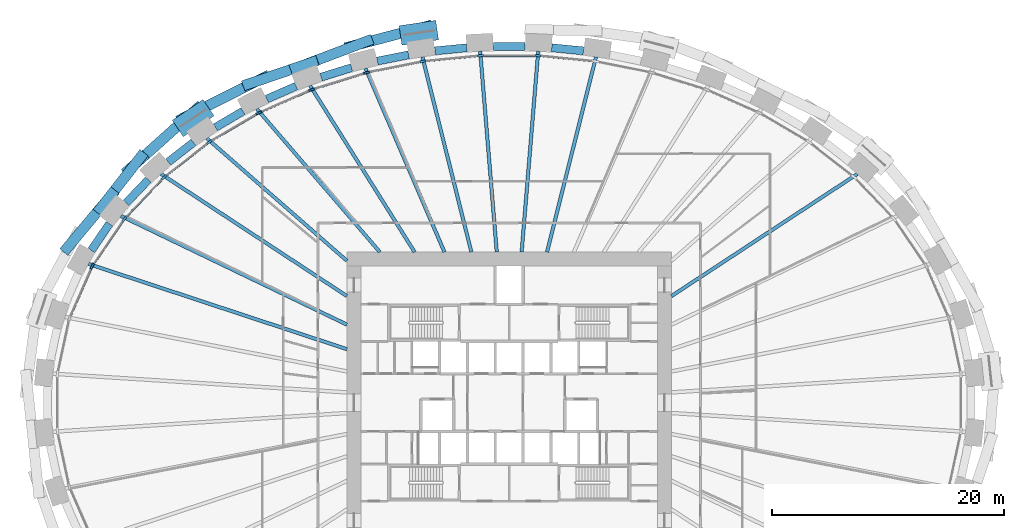
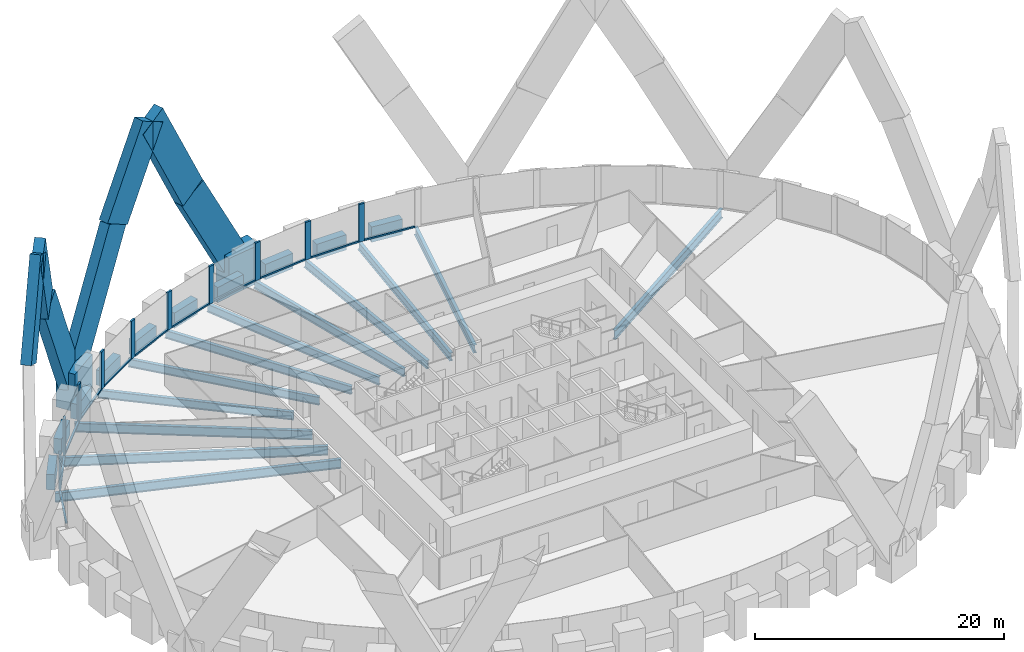
# One storey, part 3 of 13: 30 members, 22 beams, 1 element without a shape of its own.
"""IFC4 building model written with IfcOpenShell, lengths in metres."""

import ifcopenshell
import ifcopenshell.guid

model = None  # the IFC model being written
_history = None  # IfcOwnerHistory: only IFC2X3 demands one
_inside = {}  # id of a spatial element -> (the spatial element, [elements in it])
_under = {}  # id of a project, library or spatial element -> (it, [spatial elements below it])
_declared = {}  # id of a project -> (the project, [libraries it declares])
_typed = {}  # id of a type object -> (the type object, [elements of that type])
_made_of = {}  # id of a material, layer set ... -> (it, [elements and type objects made of it])


def new_model(schema):
    """Start an empty IFC model of exactly this schema.

    Asked for "IFC4X3", IfcOpenShell would pick the latest addendum, in which some entities
    have other attributes; the version numbers below select the first issue.
    IFC2X3 requires an IfcOwnerHistory on every rooted entity: one is made here for all.
    """
    global model, _history
    if schema == "IFC4X3":
        model = ifcopenshell.file(schema_version=(4, 3, 0, 0))
    else:
        model = ifcopenshell.file(schema=schema)
    _inside.clear()
    _under.clear()
    _declared.clear()
    _typed.clear()
    _made_of.clear()
    _history = None
    if model.schema == "IFC2X3":
        org = make("IfcOrganization", Name="unknown")
        user = make(
            "IfcPersonAndOrganization",
            ThePerson=make("IfcPerson", FamilyName="unknown"),
            TheOrganization=org,
        )
        app = make(
            "IfcApplication",
            ApplicationDeveloper=org,
            Version="unknown",
            ApplicationFullName="unknown",
            ApplicationIdentifier="unknown",
        )
        _history = make(
            "IfcOwnerHistory",
            OwningUser=user,
            OwningApplication=app,
            ChangeAction="ADDED",
            CreationDate=0,
        )
    return model


def make(cls, **values):
    """One entity of the class cls with the attributes given. An attribute that is None is left unset."""
    return model.create_entity(
        cls, **{name: value for name, value in values.items() if value is not None}
    )


def rooted(cls, **values):
    """An entity with a GlobalId (a new one), such as an element, a storey or a relation."""
    return make(cls, GlobalId=ifcopenshell.guid.new(), OwnerHistory=_history, **values)


def si_unit(unit_type, name, prefix=None):
    """IfcSIUnit, for example si_unit("LENGTHUNIT", "METRE", prefix="MILLI")."""
    return make("IfcSIUnit", UnitType=unit_type, Prefix=prefix, Name=name)


def assignment(units):
    """IfcUnitAssignment: the units of a project."""
    return None if units is None else make("IfcUnitAssignment", Units=units)


def point(xyz):
    """IfcCartesianPoint."""
    return None if xyz is None else make("IfcCartesianPoint", Coordinates=xyz)


def direction(xyz):
    """IfcDirection."""
    return None if xyz is None else make("IfcDirection", DirectionRatios=xyz)


def frame(location, z_axis=None, x_axis=None):
    """IfcAxis2Placement3D, a coordinate frame: its origin and axes. An axis left out is left unset."""
    return make(
        "IfcAxis2Placement3D",
        Location=point(location),
        Axis=direction(z_axis),
        RefDirection=direction(x_axis),
    )


def frame_2d(location, x_axis=None):
    """IfcAxis2Placement2D, a coordinate frame in the plane: its origin and x axis."""
    return make(
        "IfcAxis2Placement2D", Location=point(location), RefDirection=direction(x_axis)
    )


def origin():
    """The frame at (0, 0, 0) with its axes left unset."""
    return frame((0.0, 0.0, 0.0))


def origin_2d():
    """The frame at (0, 0) in the plane with its x axis left unset."""
    return frame_2d((0.0, 0.0))


def place(relative_to, where):
    """IfcLocalPlacement: puts the frame where relative to a parent placement (None: the world)."""
    return make(
        "IfcLocalPlacement", PlacementRelTo=relative_to, RelativePlacement=where
    )


def context(
    kind, dimensions, precision=None, world=None, true_north=None, identifier=None
):
    """IfcGeometricRepresentationContext, for example the 3D "Model" context."""
    return make(
        "IfcGeometricRepresentationContext",
        ContextIdentifier=identifier,
        ContextType=kind,
        CoordinateSpaceDimension=dimensions,
        Precision=precision,
        WorldCoordinateSystem=world,
        TrueNorth=true_north,
    )


def subcontext(parent, identifier, kind, view, scale=None):
    """IfcGeometricRepresentationSubContext, for example "Body" below "Model"."""
    return make(
        "IfcGeometricRepresentationSubContext",
        ContextIdentifier=identifier,
        ContextType=kind,
        ParentContext=parent,
        TargetScale=scale,
        TargetView=view,
    )


def project(units=None, contexts=None):
    """IfcProject with its units and contexts."""
    return rooted(
        "IfcProject",
        Name="project",
        RepresentationContexts=contexts,
        UnitsInContext=assignment(units),
    )


def spatial(cls, under=None, at=None, **own):
    """A site, building, storey or space (cls), placed at a placement, below another one or the project."""
    s = rooted(cls, ObjectPlacement=at, **own)
    if under is not None:
        _under.setdefault(under.id(), (under, []))[1].append(s)
    return s


def profile(cls, at=None, kind="AREA", **sizes):
    """A parametric profile (cls). Its sizes go by their IFC names, for example OverallWidth=200.0."""
    return make(cls, ProfileType=kind, Position=at, **sizes)


def rectangle(**sizes):
    """IfcRectangleProfileDef."""
    return profile("IfcRectangleProfileDef", **sizes)


def i_section(**sizes):
    """IfcIShapeProfileDef."""
    return profile("IfcIShapeProfileDef", **sizes)


def extrude(swept, where, along, depth):
    """IfcExtrudedAreaSolid: the profile swept, set in the frame where, extruded along a direction by depth."""
    return make(
        "IfcExtrudedAreaSolid",
        SweptArea=swept,
        Position=where,
        ExtrudedDirection=direction(along),
        Depth=depth,
    )


def shape(context_of_items, identifier, shape_type, items):
    """IfcShapeRepresentation: the items that make up one representation, for example the "Body"."""
    return make(
        "IfcShapeRepresentation",
        ContextOfItems=context_of_items,
        RepresentationIdentifier=identifier,
        RepresentationType=shape_type,
        Items=items,
    )


def source(mapping_origin, context_of_items, identifier, shape_type, items):
    """IfcRepresentationMap: a shape defined once, which mapped items show again and again."""
    return make(
        "IfcRepresentationMap",
        MappingOrigin=mapping_origin,
        MappedRepresentation=shape(context_of_items, identifier, shape_type, items),
    )


def transform(
    local_origin,
    x_axis=None,
    y_axis=None,
    z_axis=None,
    scale=None,
    scale2=None,
    scale3=None,
    uniform=True,
):
    """IfcCartesianTransformationOperator3D, or its non-uniform kind. x_axis, y_axis, z_axis: its Axis1, 2, 3."""
    if uniform:
        return make(
            "IfcCartesianTransformationOperator3D",
            Axis1=direction(x_axis),
            Axis2=direction(y_axis),
            LocalOrigin=point(local_origin),
            Scale=scale,
            Axis3=direction(z_axis),
        )
    return make(
        "IfcCartesianTransformationOperator3DnonUniform",
        Axis1=direction(x_axis),
        Axis2=direction(y_axis),
        LocalOrigin=point(local_origin),
        Scale=scale,
        Axis3=direction(z_axis),
        Scale2=scale2,
        Scale3=scale3,
    )


def mapped(mapping_source, mapping_target):
    """IfcMappedItem: shows the shape of a source again, moved by a transform."""
    return make(
        "IfcMappedItem", MappingSource=mapping_source, MappingTarget=mapping_target
    )


def material(Name=None, Category=None):
    """IfcMaterial."""
    return make("IfcMaterial", Name=Name, Category=Category)


def material_profile(
    of_material, cross_section, Name=None, Category=None, Priority=None
):
    """IfcMaterialProfile: a cross section and its material."""
    return make(
        "IfcMaterialProfile",
        Name=Name,
        Material=of_material,
        Profile=cross_section,
        Priority=Priority,
        Category=Category,
    )


def profile_set(profiles, Name=None, composite=None):
    """IfcMaterialProfileSet."""
    return make(
        "IfcMaterialProfileSet",
        Name=Name,
        MaterialProfiles=profiles,
        CompositeProfile=composite,
    )


def made_of(thing, what):
    """Note that an element or type object is made of a material, layer set ...; save() writes the relation."""
    if what is not None:
        _made_of.setdefault(what.id(), (what, []))[1].append(thing)
    return thing


def type_object(cls, material=None, **own):
    """A type object (cls), such as IfcWallType, which elements share."""
    return made_of(rooted(cls, **own), material)


def element(
    cls,
    number,
    at=None,
    inside=None,
    cuts=None,
    type_object=None,
    material=None,
    context=None,
    identifier="Body",
    shape_type=None,
    held_by="IfcProductDefinitionShape",
    body=None,
    shapes=None,
    **own,
):
    """One element of the class cls, such as IfcWall. Its Tag is "e" and its number.

    at: its placement. inside: the storey or other place that contains it. cuts: it is an
    opening in that element (IfcRelVoidsElement). A single representation is given by context,
    identifier, shape_type and body (its items); several are given by shapes. held_by: the class
    of the entity that holds the representations. save() writes the other relations.
    """
    e = rooted(cls, Tag="e%d" % number, ObjectPlacement=at, **own)
    if body is not None:
        shapes = [shape(context, identifier, shape_type, body)]
    if shapes is not None:
        e.Representation = make(held_by, Representations=shapes)
    if inside is not None:
        _inside.setdefault(inside.id(), (inside, []))[1].append(e)
    if cuts is not None:
        rooted(
            "IfcRelVoidsElement", RelatingBuildingElement=cuts, RelatedOpeningElement=e
        )
    if type_object is not None:
        _typed.setdefault(type_object.id(), (type_object, []))[1].append(e)
    return made_of(e, material)


def aggregate(whole, parts):
    """IfcRelAggregates: a whole, such as a stair, and the parts it consists of."""
    return rooted("IfcRelAggregates", RelatingObject=whole, RelatedObjects=parts)


def save(model, path):
    """Write the relations noted so far, then the file.

    IfcRelAggregates (storeys below a building ...), IfcRelContainedInSpatialStructure (elements
    in a storey), IfcRelDefinesByType, IfcRelAssociatesMaterial and IfcRelDeclares: one each for
    every whole, place, type object, material and project.
    """
    for whole, parts in _under.values():
        aggregate(whole, parts)
    for where, things in _inside.values():
        rooted(
            "IfcRelContainedInSpatialStructure",
            RelatedElements=things,
            RelatingStructure=where,
        )
    for kind, things in _typed.values():
        rooted("IfcRelDefinesByType", RelatedObjects=things, RelatingType=kind)
    for what, things in _made_of.values():
        rooted("IfcRelAssociatesMaterial", RelatedObjects=things, RelatingMaterial=what)
    for by, libraries in _declared.values():
        rooted("IfcRelDeclares", RelatingContext=by, RelatedDefinitions=libraries)
    model.write(path)


model = new_model("IFC4")

# Units and contexts
model_context = context("Model", 3, precision=1e-05, world=origin(), true_north=direction((0.0, 1.0)))
body_context = subcontext(model_context, "Body", "Model", "MODEL_VIEW")
ifc_project = project(units=[si_unit("LENGTHUNIT", "METRE"), si_unit("AREAUNIT", "SQUARE_METRE"), si_unit("VOLUMEUNIT", "CUBIC_METRE"), si_unit("PLANEANGLEUNIT", "RADIAN"), si_unit("MASSUNIT", "GRAM", prefix="KILO")], contexts=[model_context])

# Site, building, storey
site_placement = place(None, origin())
site = spatial("IfcSite", under=ifc_project, at=site_placement, CompositionType="ELEMENT")
building_placement = place(site_placement, origin())
building = spatial("IfcBuilding", under=site, at=building_placement, Name="Embergate Tower", CompositionType="ELEMENT")
storey_placement = place(building_placement, frame((0.0, 0.0, 105.5)))
storey = spatial("IfcBuildingStorey", under=building, at=storey_placement, Name="L22", CompositionType="ELEMENT", Elevation=105.5)

# Beams
ifc_material_1 = material(Name="Concrete C70", Category="concrete")
ifc_material_profile_1 = material_profile(ifc_material_1, rectangle(XDim=0.699951171875, YDim=1.5, at=origin_2d()), Name="RC 700x1500")
ifc_profile_set_1 = profile_set([ifc_material_profile_1], Name="Concrete C70")
beam_type_1 = type_object("IfcBeamType", Name="Spandrel beam RC 700x1500 C70", PredefinedType="BEAM", material=ifc_profile_set_1)
shared_shape_1 = source(origin(), body_context, "Body", "SweptSolid", [
    extrude(rectangle(XDim=0.699951171875, YDim=1.5, at=origin_2d()), origin(), (0.0, 0.0, 1.0), 2.775634765625),
])
beam_1_placement = place(storey_placement, frame((-34.5009765625, 15.447021484375, 0.0), z_axis=(-0.562430313872, -0.826844690397, 0.0), x_axis=(0.826844690397, -0.562430313872, 0.0)))
element("IfcBeam", 1, at=beam_1_placement, inside=storey, type_object=beam_type_1, Name="SPN-L22-18", PredefinedType="BEAM", context=body_context, shape_type="MappedRepresentation", body=[
    mapped(shared_shape_1, transform((0.0, 0.0, 0.0))),
])
shared_shape_2 = source(origin(), body_context, "Body", "SweptSolid", [
    extrude(rectangle(XDim=0.699951171875, YDim=1.5, at=origin_2d()), origin(), (0.0, 0.0, 1.0), 2.770263671875),
])
beam_2_placement = place(storey_placement, frame((-31.14404296875, 19.241943359375, 0.0), z_axis=(-0.690119345663, -0.723695577395, 0.0), x_axis=(0.723695577395, -0.690119345663, 0.0)))
element("IfcBeam", 2, at=beam_2_placement, inside=storey, type_object=beam_type_1, Name="SPN-L22-17", PredefinedType="BEAM", context=body_context, shape_type="MappedRepresentation", body=[
    mapped(shared_shape_2, transform((0.0, 0.0, 0.0))),
])
shared_shape_3 = source(origin(), body_context, "Body", "SweptSolid", [
    extrude(rectangle(XDim=0.699951171875, YDim=1.5, at=origin_2d()), origin(), (0.0, 0.0, 1.0), 2.762939453125),
])
beam_3_placement = place(storey_placement, frame((-27.248046875, 22.470947265625, 0.0), z_axis=(-0.788304284462, -0.615285588242, 0.0), x_axis=(0.615285588242, -0.788304284462, 0.0)))
element("IfcBeam", 3, at=beam_3_placement, inside=storey, type_object=beam_type_1, Name="SPN-L22-16", PredefinedType="BEAM", context=body_context, shape_type="MappedRepresentation", body=[
    mapped(shared_shape_3, transform((0.0, 0.0, 0.0))),
])
shared_shape_4 = source(origin(), body_context, "Body", "SweptSolid", [
    extrude(rectangle(XDim=0.699951171875, YDim=1.5, at=origin_2d()), origin(), (0.0, 0.0, 1.0), 2.758544921875),
])
beam_4_placement = place(storey_placement, frame((-22.968017578125, 25.162109375, 0.0), z_axis=(-0.862027482261, -0.506861539108, 0.0), x_axis=(0.506861539108, -0.862027482261, 0.0)))
element("IfcBeam", 4, at=beam_4_placement, inside=storey, type_object=beam_type_1, Name="SPN-L22-15", PredefinedType="BEAM", context=body_context, shape_type="MappedRepresentation", body=[
    mapped(shared_shape_4, transform((0.0, 0.0, 0.0))),
])
shared_shape_5 = source(origin(), body_context, "Body", "SweptSolid", [
    extrude(rectangle(XDim=0.699951171875, YDim=1.5, at=origin_2d()), origin(), (0.0, 0.0, 1.0), 2.75537109375),
])
beam_5_placement = place(storey_placement, frame((-18.39404296875, 27.31103515625, 0.0), z_axis=(-0.916372764163, -0.400326063478, 0.0), x_axis=(0.400326063478, -0.916372764163, 0.0)))
element("IfcBeam", 5, at=beam_5_placement, inside=storey, type_object=beam_type_1, Name="SPN-L22-14", PredefinedType="BEAM", context=body_context, shape_type="MappedRepresentation", body=[
    mapped(shared_shape_5, transform((0.0, 0.0, 0.0))),
])
shared_shape_6 = source(origin(), body_context, "Body", "SweptSolid", [
    extrude(rectangle(XDim=0.699951171875, YDim=1.5, at=origin_2d()), origin(), (0.0, 0.0, 1.0), 2.750732421875),
])
beam_6_placement = place(storey_placement, frame((-13.60595703125, 28.9150390625, 0.0), z_axis=(-0.954637769475, -0.297769590609, 0.0), x_axis=(0.297769590609, -0.954637769475, 0.0)))
element("IfcBeam", 6, at=beam_6_placement, inside=storey, type_object=beam_type_1, Name="SPN-L22-13", PredefinedType="BEAM", context=body_context, shape_type="MappedRepresentation", body=[
    mapped(shared_shape_6, transform((0.0, 0.0, 0.0))),
])
shared_shape_7 = source(origin(), body_context, "Body", "SweptSolid", [
    extrude(rectangle(XDim=0.699951171875, YDim=1.5, at=origin_2d()), origin(), (0.0, 0.0, 1.0), 2.749755859375),
])
beam_7_placement = place(storey_placement, frame((-8.680908203125, 30.02392578125, 0.0), z_axis=(-0.98045412413, -0.196747834743, 0.0), x_axis=(0.196747834743, -0.98045412413, 0.0)))
element("IfcBeam", 7, at=beam_7_placement, inside=storey, type_object=beam_type_1, Name="SPN-L22-12", PredefinedType="BEAM", context=body_context, shape_type="MappedRepresentation", body=[
    mapped(shared_shape_7, transform((0.0, 0.0, 0.0))),
])
shared_shape_8 = source(origin(), body_context, "Body", "SweptSolid", [
    extrude(rectangle(XDim=0.699951171875, YDim=1.5, at=origin_2d()), origin(), (0.0, 0.0, 1.0), 2.748291015625),
])
for number, where, z_axis, x_axis, name in (
    (8, (6.406005859375, 30.363037109375, 0.0), (-0.995196843386, 0.097894039223, 0.0), (-0.097894039223, -0.995196843386, 0.0), "SPN-L22-09"),
    (9, (-3.6708984375, 30.632080078125, 0.0), (-0.995196843386, -0.097894039223, 0.0), (0.097894039223, -0.995196843386, 0.0), "SPN-L22-11"),
):
    element("IfcBeam", number, at=place(storey_placement, frame(where, z_axis=z_axis, x_axis=x_axis)), inside=storey, type_object=beam_type_1, Name=name, PredefinedType="BEAM", context=body_context, shape_type="MappedRepresentation", body=[
        mapped(shared_shape_8, transform((0.0, 0.0, 0.0))),
    ])
shared_shape_9 = source(origin(), body_context, "Body", "SweptSolid", [
    extrude(rectangle(XDim=0.699951171875, YDim=1.5, at=origin_2d()), origin(), (0.0, 0.0, 1.0), 2.748046875),
])
beam_8_placement = place(storey_placement, frame((1.3740234375, 30.7451171875, 0.0), z_axis=(-1.0, 0.0, 0.0), x_axis=(0.0, -1.0, 0.0)))
element("IfcBeam", 10, at=beam_8_placement, inside=storey, type_object=beam_type_1, Name="SPN-L22-10", PredefinedType="BEAM", context=body_context, shape_type="MappedRepresentation", body=[
    mapped(shared_shape_9, transform((0.0, 0.0, 0.0))),
])
ifc_material_2 = material(Name="Steel Q355B", Category="steel")
ifc_material_profile_2 = material_profile(ifc_material_2, i_section(OverallWidth=0.300048828125, OverallDepth=0.89990234375, WebThickness=0.01611328125, FlangeThickness=0.028076171875, FilletRadius=0.028076171875, at=origin_2d()), Name="HN 900x300x16x28")
ifc_profile_set_2 = profile_set([ifc_material_profile_2], Name="Steel Q355 grade B")
beam_type_2 = type_object("IfcBeamType", Name="Radial girder HN 900x300x16x28", PredefinedType="BEAM", material=ifc_profile_set_2)
shared_shape_10 = source(origin(), body_context, "Body", "SweptSolid", [
    extrude(i_section(OverallWidth=0.300048828125, OverallDepth=0.89990234375, WebThickness=0.01611328125, FlangeThickness=0.028076171875, FilletRadius=0.028076171875, at=origin_2d()), origin(), (0.0, 0.0, 1.0), 23.499267578125),
])
beam_9_placement = place(storey_placement, frame((-36.31689453125, 11.97705078125, -0.64990234375), z_axis=(0.949685213061, -0.31320599626, 0.0), x_axis=(0.31320599626, 0.949685213061, 0.0)))
element("IfcBeam", 11, at=beam_9_placement, inside=storey, type_object=beam_type_2, Name="GIR-L22-19", PredefinedType="BEAM", context=body_context, shape_type="MappedRepresentation", body=[
    mapped(shared_shape_10, transform((0.0, 0.0, 0.0))),
])
shared_shape_11 = source(origin(), body_context, "Body", "SweptSolid", [
    extrude(i_section(OverallWidth=0.300048828125, OverallDepth=0.89990234375, WebThickness=0.01611328125, FlangeThickness=0.028076171875, FilletRadius=0.028076171875, at=origin_2d()), origin(), (0.0, 0.0, 1.0), 21.641357421875),
])
beam_10_placement = place(storey_placement, frame((-33.501953125, 16.116943359375, -0.64990234375), z_axis=(0.901145989674, -0.433515749765, 0.0), x_axis=(0.433515749765, 0.901145989674, 0.0)))
element("IfcBeam", 12, at=beam_10_placement, inside=storey, type_object=beam_type_2, Name="GIR-L22-18", PredefinedType="BEAM", context=body_context, shape_type="MappedRepresentation", body=[
    mapped(shared_shape_11, transform((0.0, 0.0, 0.0))),
])
shared_shape_12 = source(origin(), body_context, "Body", "SweptSolid", [
    extrude(i_section(OverallWidth=0.300048828125, OverallDepth=0.89990234375, WebThickness=0.01611328125, FlangeThickness=0.028076171875, FilletRadius=0.028076171875, at=origin_2d()), origin(), (0.0, 0.0, 1.0), 19.19970703125),
])
for number, where, z_axis, x_axis, name in (
    (13, (30.0458984375, 19.741943359375, -0.64990234375), (-0.835740827345, -0.549124092996, 0.0), (0.549124092996, -0.835740827345, 0.0), "GIR-L22-04"),
    (14, (-30.0458984375, 19.741943359375, -0.64990234375), (0.835740827345, -0.549124092996, 0.0), (0.549124092996, 0.835740827345, 0.0), "GIR-L22-17"),
):
    element("IfcBeam", number, at=place(storey_placement, frame(where, z_axis=z_axis, x_axis=x_axis)), inside=storey, type_object=beam_type_2, Name=name, PredefinedType="BEAM", context=body_context, shape_type="MappedRepresentation", body=[
        mapped(shared_shape_12, transform((0.0, 0.0, 0.0))),
    ])
ifc_material_profile_3 = material_profile(ifc_material_2, i_section(OverallWidth=0.300048828125, OverallDepth=0.800048828125, WebThickness=0.013916015625, FlangeThickness=0.02587890625, FilletRadius=0.028076171875, at=origin_2d()), Name="HN 800x300x14x26")
ifc_profile_set_3 = profile_set([ifc_material_profile_3], Name="Steel Q355 grade B")
beam_type_3 = type_object("IfcBeamType", Name="Radial girder HN 800x300x14x26", PredefinedType="BEAM", material=ifc_profile_set_3)
shared_shape_13 = source(origin(), body_context, "Body", "SweptSolid", [
    extrude(i_section(OverallWidth=0.300048828125, OverallDepth=0.800048828125, WebThickness=0.013916015625, FlangeThickness=0.02587890625, FilletRadius=0.028076171875, at=origin_2d()), origin(), (0.0, 0.0, 1.0), 16.071533203125),
])
beam_11_placement = place(storey_placement, frame((-26.097900390625, 22.822998046875, -0.60009765625), z_axis=(0.752748875992, -0.658307777329, 0.0), x_axis=(0.658307777329, 0.752748875992, 0.0)))
element("IfcBeam", 15, at=beam_11_placement, inside=storey, type_object=beam_type_3, Name="GIR-L22-16", PredefinedType="BEAM", context=body_context, shape_type="MappedRepresentation", body=[
    mapped(shared_shape_13, transform((0.0, 0.0, 0.0))),
])
shared_shape_14 = source(origin(), body_context, "Body", "SweptSolid", [
    extrude(i_section(OverallWidth=0.300048828125, OverallDepth=0.800048828125, WebThickness=0.013916015625, FlangeThickness=0.02587890625, FilletRadius=0.028076171875, at=origin_2d()), origin(), (0.0, 0.0, 1.0), 16.294677734375),
])
beam_12_placement = place(storey_placement, frame((-21.779052734375, 25.362060546875, -0.60009765625), z_axis=(0.651495635829, -0.758652381856, 0.0), x_axis=(0.758652381856, 0.651495635829, 0.0)))
element("IfcBeam", 16, at=beam_12_placement, inside=storey, type_object=beam_type_3, Name="GIR-L22-15", PredefinedType="BEAM", context=body_context, shape_type="MappedRepresentation", body=[
    mapped(shared_shape_14, transform((0.0, 0.0, 0.0))),
])
shared_shape_15 = source(origin(), body_context, "Body", "SweptSolid", [
    extrude(i_section(OverallWidth=0.300048828125, OverallDepth=0.800048828125, WebThickness=0.013916015625, FlangeThickness=0.02587890625, FilletRadius=0.028076171875, at=origin_2d()), origin(), (0.0, 0.0, 1.0), 16.968017578125),
])
beam_13_placement = place(storey_placement, frame((-17.18896484375, 27.368896484375, -0.60009765625), z_axis=(0.53187684388, -0.846821718513, 0.0), x_axis=(0.846821718513, 0.53187684388, 0.0)))
element("IfcBeam", 17, at=beam_13_placement, inside=storey, type_object=beam_type_3, Name="GIR-L22-14", PredefinedType="BEAM", context=body_context, shape_type="MappedRepresentation", body=[
    mapped(shared_shape_15, transform((0.0, 0.0, 0.0))),
])
shared_shape_16 = source(origin(), body_context, "Body", "SweptSolid", [
    extrude(i_section(OverallWidth=0.300048828125, OverallDepth=0.800048828125, WebThickness=0.013916015625, FlangeThickness=0.02587890625, FilletRadius=0.028076171875, at=origin_2d()), origin(), (0.0, 0.0, 1.0), 17.261962890625),
])
beam_14_placement = place(storey_placement, frame((-12.405029296875, 28.85888671875, -0.60009765625), z_axis=(0.394921038266, -0.918715066566, 0.0), x_axis=(0.918715066566, 0.394921038266, 0.0)))
element("IfcBeam", 18, at=beam_14_placement, inside=storey, type_object=beam_type_3, Name="GIR-L22-13", PredefinedType="BEAM", context=body_context, shape_type="MappedRepresentation", body=[
    mapped(shared_shape_16, transform((0.0, 0.0, 0.0))),
])
shared_shape_17 = source(origin(), body_context, "Body", "SweptSolid", [
    extrude(i_section(OverallWidth=0.300048828125, OverallDepth=0.800048828125, WebThickness=0.013916015625, FlangeThickness=0.02587890625, FilletRadius=0.028076171875, at=origin_2d()), origin(), (0.0, 0.0, 1.0), 17.36669921875),
])
for number, where, z_axis, x_axis, name in (
    (19, (7.491943359375, 29.843994140625, -0.60009765625), (-0.243511287378, -0.969898063159, 0.0), (0.969898063159, -0.243511287378, 0.0), "GIR-L22-09"),
    (20, (-7.491943359375, 29.843994140625, -0.60009765625), (0.243511287378, -0.969898063159, 0.0), (0.969898063159, 0.243511287378, 0.0), "GIR-L22-12"),
):
    element("IfcBeam", number, at=place(storey_placement, frame(where, z_axis=z_axis, x_axis=x_axis)), inside=storey, type_object=beam_type_3, Name=name, PredefinedType="BEAM", context=body_context, shape_type="MappedRepresentation", body=[
        mapped(shared_shape_17, transform((0.0, 0.0, 0.0))),
    ])
shared_shape_18 = source(origin(), body_context, "Body", "SweptSolid", [
    extrude(i_section(OverallWidth=0.300048828125, OverallDepth=0.800048828125, WebThickness=0.013916015625, FlangeThickness=0.02587890625, FilletRadius=0.028076171875, at=origin_2d()), origin(), (0.0, 0.0, 1.0), 17.393798828125),
])
for number, where, z_axis, x_axis, name in (
    (21, (2.5048828125, 30.3349609375, -0.60009765625), (-0.082264860463, -0.996610502018, 0.0), (0.996610502018, -0.082264860463, 0.0), "GIR-L22-10"),
    (22, (-2.5048828125, 30.3349609375, -0.60009765625), (0.082264860463, -0.996610502018, 0.0), (0.996610502018, 0.082264860463, 0.0), "GIR-L22-11"),
):
    element("IfcBeam", number, at=place(storey_placement, frame(where, z_axis=z_axis, x_axis=x_axis)), inside=storey, type_object=beam_type_3, Name=name, PredefinedType="BEAM", context=body_context, shape_type="MappedRepresentation", body=[
        mapped(shared_shape_18, transform((0.0, 0.0, 0.0))),
    ])

# Members
ifc_material_profile_4 = material_profile(ifc_material_1, rectangle(XDim=1.699951171875, YDim=3.199951171875, at=origin_2d()), Name="RC 1700x3200")
ifc_profile_set_4 = profile_set([ifc_material_profile_4], Name="Concrete C70")
member_type_1 = type_object("IfcMemberType", Name="Lattice node block RC 1700x3200", PredefinedType="POST", material=ifc_profile_set_4)
shared_shape_19 = source(origin(), body_context, "Body", "SweptSolid", [
    extrude(rectangle(XDim=1.699951171875, YDim=3.199951171875, at=origin_2d()), origin(), (0.0, 0.0, 1.0), 3.7001953125),
])
for number, where, z_axis, x_axis, name in (
    (23, (-7.801025390625, 31.922119140625, -1.85009765625), (0.0, 0.0, 1.0), (-0.146929011949, 0.989147039346, 0.0), "NOD-L22-12"),
    (24, (-27.27392578125, 24.56201171875, -1.85009765625), (0.0, 0.0, 1.0), (-0.560407734638, 0.828216862275, 0.0), "NOD-L22-16"),
):
    element("IfcMember", number, at=place(storey_placement, frame(where, z_axis=z_axis, x_axis=x_axis)), inside=storey, type_object=member_type_1, Name=name, PredefinedType="POST", context=body_context, shape_type="MappedRepresentation", body=[
        mapped(shared_shape_19, transform((0.0, 0.0, 0.0))),
    ])
ifc_material_profile_5 = material_profile(ifc_material_1, rectangle(XDim=0.89990234375, YDim=2.800048828125, at=origin_2d()), Name="RC 900x2800")
ifc_profile_set_5 = profile_set([ifc_material_profile_5], Name="Concrete C70")
member_type_2 = type_object("IfcMemberType", Name="Lattice diagonal terracotta-faced RC 900x2800", PredefinedType="BRACE", material=ifc_profile_set_5)
shared_shape_20 = source(origin(), body_context, "Body", "SweptSolid", [
    extrude(rectangle(XDim=0.89990234375, YDim=2.800048828125, at=origin_2d()), origin(), (0.0, 0.0, 1.0), 11.09619140625),
])
member_1_placement = place(storey_placement, frame((-7.85400390625, 32.280029296875, 0.0), z_axis=(-0.461693908364, -0.121496080918, 0.87867937116), x_axis=(0.25448876228, -0.967075731199, 0.0)))
element("IfcMember", 25, at=member_1_placement, inside=storey, type_object=member_type_2, Name="BRC-L22-12-14-S00", PredefinedType="BRACE", context=body_context, shape_type="MappedRepresentation", body=[
    mapped(shared_shape_20, transform((0.0, 0.0, 0.0))),
])
shared_shape_21 = source(origin(), body_context, "Body", "SweptSolid", [
    extrude(rectangle(XDim=0.89990234375, YDim=2.800048828125, at=origin_2d()), origin(), (0.0, 0.0, 1.0), 10.985595703125),
])
member_2_placement = place(storey_placement, frame((-12.97705078125, 30.931884765625, 9.75), z_axis=(-0.430917426569, -0.163121913926, 0.887525443397), x_axis=(0.35402893308, -0.935234470356, 0.0)))
element("IfcMember", 26, at=member_2_placement, inside=storey, type_object=member_type_2, Name="BRC-L22-12-14-S01", PredefinedType="BRACE", context=body_context, shape_type="MappedRepresentation", body=[
    mapped(shared_shape_21, transform((0.0, 0.0, 0.0))),
])
shared_shape_22 = source(origin(), body_context, "Body", "SweptSolid", [
    extrude(rectangle(XDim=0.89990234375, YDim=2.800048828125, at=origin_2d()), origin(), (0.0, 0.0, 1.0), 13.31884765625),
])
member_3_placement = place(storey_placement, frame((-27.491943359375, 24.885009765625, 0.0), z_axis=(0.426914784855, 0.214648867782, 0.878447283582), x_axis=(-0.449207255058, 0.893427580727, 0.0)))
element("IfcMember", 27, at=member_3_placement, inside=storey, type_object=member_type_2, Name="BRC-L22-16-14-S00", PredefinedType="BRACE", context=body_context, shape_type="MappedRepresentation", body=[
    mapped(shared_shape_22, transform((0.0, 0.0, 0.0))),
])
shared_shape_23 = source(origin(), body_context, "Body", "SweptSolid", [
    extrude(rectangle(XDim=0.89990234375, YDim=2.800048828125, at=origin_2d()), origin(), (0.0, 0.0, 1.0), 8.91943359375),
])
member_4_placement = place(storey_placement, frame((-21.805908203125, 27.743896484375, 11.699951171875), z_axis=(0.459100652643, 0.156509719896, 0.87448916421), x_axis=(-0.322670480842, 0.946511363267, 0.0)))
element("IfcMember", 28, at=member_4_placement, inside=storey, type_object=member_type_2, Name="BRC-L22-16-14-S01", PredefinedType="BRACE", context=body_context, shape_type="MappedRepresentation", body=[
    mapped(shared_shape_23, transform((0.0, 0.0, 0.0))),
])
shared_shape_24 = source(origin(), body_context, "Body", "SweptSolid", [
    extrude(rectangle(XDim=0.89990234375, YDim=2.800048828125, at=origin_2d()), origin(), (0.0, 0.0, 1.0), 13.343505859375),
])
member_5_placement = place(storey_placement, frame((-27.491943359375, 24.885009765625, 0.0), z_axis=(-0.35815801262, -0.320759546322, 0.876833023693), x_axis=(0.667144073564, -0.744928711427, 0.0)))
element("IfcMember", 29, at=member_5_placement, inside=storey, type_object=member_type_2, Name="BRC-L22-16-18-S00", PredefinedType="BRACE", context=body_context, shape_type="MappedRepresentation", body=[
    mapped(shared_shape_24, transform((0.0, 0.0, 0.0))),
])
shared_shape_25 = source(origin(), body_context, "Body", "SweptSolid", [
    extrude(rectangle(XDim=0.89990234375, YDim=2.800048828125, at=origin_2d()), origin(), (0.0, 0.0, 1.0), 8.80859375),
])
member_6_placement = place(storey_placement, frame((-32.27099609375, 20.60498046875, 11.699951171875), z_axis=(-0.286084278496, -0.366128009972, 0.88549763744), x_axis=(0.787975537163, -0.615706547661, 0.0)))
element("IfcMember", 30, at=member_6_placement, inside=storey, type_object=member_type_2, Name="BRC-L22-16-18-S01", PredefinedType="BRACE", context=body_context, shape_type="MappedRepresentation", body=[
    mapped(shared_shape_25, transform((0.0, 0.0, 0.0))),
])
shared_shape_26 = source(origin(), body_context, "Body", "SweptSolid", [
    extrude(rectangle(XDim=0.89990234375, YDim=2.800048828125, at=origin_2d()), origin(), (0.0, 0.0, 1.0), 8.993896484375),
])
member_7_placement = place(storey_placement, frame((-37.658935546875, 13.94091796875, 11.699951171875), z_axis=(0.318870015063, 0.382361712112, 0.867249349728), x_axis=(-0.767988842567, 0.640463221187, 0.0)))
element("IfcMember", 31, at=member_7_placement, inside=storey, type_object=member_type_2, Name="BRC-L22-20-18-S01", PredefinedType="BRACE", context=body_context, shape_type="MappedRepresentation", body=[
    mapped(shared_shape_26, transform((0.0, 0.0, 0.0))),
])

# Curtain wall, members
ifc_material_3 = material(Name="Aluminium and glass", Category="aluminium")
curtain_wall_type = type_object("IfcCurtainWallType", Name="Recessed office glazing", PredefinedType="NOTDEFINED", material=ifc_material_3)
curtain_wall_placement = place(storey_placement, origin())
curtain_wall = element("IfcCurtainWall", 32, at=curtain_wall_placement, inside=storey, type_object=curtain_wall_type, Name="Recessed office glazing ring", ObjectType="RECESSED OFFICE GLAZING", PredefinedType="USERDEFINED")
ifc_material_4 = material(Name="Aluminium, thermally broken", Category="aluminium")
ifc_material_profile_6 = material_profile(ifc_material_4, rectangle(XDim=0.179931640625, YDim=0.52001953125, at=origin_2d()), Name="AL 520x180")
ifc_profile_set_6 = profile_set([ifc_material_profile_6], Name="Aluminium, thermally broken")
member_type_3 = type_object("IfcMemberType", Name="Office mullion", PredefinedType="MULLION", material=ifc_profile_set_6)
shared_shape_27 = source(origin(), body_context, "Body", "SweptSolid", [
    extrude(rectangle(XDim=0.179931640625, YDim=0.52001953125, at=origin_2d()), origin(), (0.0, 0.0, 1.0), 3.699951171875),
])
member_8_placement = place(storey_placement, frame((2.486328125, 29.9453125, 0.0), z_axis=(0.0, 0.0, 1.0), x_axis=(-0.048971796621, -0.998800161762, 0.0)))
member_8 = element("IfcMember", 33, at=member_8_placement, type_object=member_type_3, Name="CW mullion 11", PredefinedType="MULLION", context=body_context, shape_type="MappedRepresentation", body=[
    mapped(shared_shape_27, transform((0.0, 0.0, 0.0))),
])
member_9_placement = place(storey_placement, frame((-2.486328125, 29.9453125, 0.0), z_axis=(0.0, 0.0, 1.0), x_axis=(0.048971796621, -0.998800161762, 0.0)))
member_9 = element("IfcMember", 34, at=member_9_placement, type_object=member_type_3, Name="CW mullion 12", PredefinedType="MULLION", context=body_context, shape_type="MappedRepresentation", body=[
    mapped(shared_shape_27, transform((0.0, 0.0, 0.0))),
])
member_10_placement = place(storey_placement, frame((-7.434814453125, 29.458984375, 0.0), z_axis=(0.0, 0.0, 1.0), x_axis=(0.147415835341, -0.989074603602, 0.0)))
member_10 = element("IfcMember", 35, at=member_10_placement, type_object=member_type_3, Name="CW mullion 13", PredefinedType="MULLION", context=body_context, shape_type="MappedRepresentation", body=[
    mapped(shared_shape_27, transform((0.0, 0.0, 0.0))),
])
member_11_placement = place(storey_placement, frame((-12.30859375, 28.481201171875, 0.0), z_axis=(0.0, 0.0, 1.0), x_axis=(0.247316954703, -0.968934633459, 0.0)))
member_11 = element("IfcMember", 36, at=member_11_placement, type_object=member_type_3, Name="CW mullion 14", PredefinedType="MULLION", context=body_context, shape_type="MappedRepresentation", body=[
    mapped(shared_shape_27, transform((0.0, 0.0, 0.0))),
])
member_12_placement = place(storey_placement, frame((-17.052734375, 27.00390625, 0.0), z_axis=(0.0, 0.0, 1.0), x_axis=(0.349510859141, -0.936932313106, 0.0)))
member_12 = element("IfcMember", 37, at=member_12_placement, type_object=member_type_3, Name="CW mullion 15", PredefinedType="MULLION", context=body_context, shape_type="MappedRepresentation", body=[
    mapped(shared_shape_27, transform((0.0, 0.0, 0.0))),
])
member_13_placement = place(storey_placement, frame((-21.602294921875, 25.014404296875, 0.0), z_axis=(0.0, 0.0, 1.0), x_axis=(0.454520708319, -0.890736170653, 0.0)))
member_13 = element("IfcMember", 38, at=member_13_placement, type_object=member_type_3, Name="CW mullion 16", PredefinedType="MULLION", context=body_context, shape_type="MappedRepresentation", body=[
    mapped(shared_shape_27, transform((0.0, 0.0, 0.0))),
])
member_14_placement = place(storey_placement, frame((-25.87890625, 22.5, 0.0), z_axis=(0.0, 0.0, 1.0), x_axis=(0.562227722082, -0.826982459622, 0.0)))
member_14 = element("IfcMember", 39, at=member_14_placement, type_object=member_type_3, Name="CW mullion 17", PredefinedType="MULLION", context=body_context, shape_type="MappedRepresentation", body=[
    mapped(shared_shape_27, transform((0.0, 0.0, 0.0))),
])
member_15_placement = place(storey_placement, frame((-29.784912109375, 19.451416015625, 0.0), z_axis=(0.0, 0.0, 1.0), x_axis=(0.671238177437, -0.741241734626, 0.0)))
member_15 = element("IfcMember", 40, at=member_15_placement, type_object=member_type_3, Name="CW mullion 18", PredefinedType="MULLION", context=body_context, shape_type="MappedRepresentation", body=[
    mapped(shared_shape_27, transform((0.0, 0.0, 0.0))),
])
member_16_placement = place(storey_placement, frame((-33.19921875, 15.87109375, 0.0), z_axis=(0.0, 0.0, 1.0), x_axis=(0.777883532271, -0.628408474022, 0.0)))
member_16 = element("IfcMember", 41, at=member_16_placement, type_object=member_type_3, Name="CW mullion 19", PredefinedType="MULLION", context=body_context, shape_type="MappedRepresentation", body=[
    mapped(shared_shape_27, transform((0.0, 0.0, 0.0))),
])
member_17_placement = place(storey_placement, frame((-35.9765625, 11.787353515625, 0.0), z_axis=(0.0, 0.0, 1.0), x_axis=(0.875009500255, -0.484105747191, 0.0)))
member_17 = element("IfcMember", 42, at=member_17_placement, type_object=member_type_3, Name="CW mullion 20", PredefinedType="MULLION", context=body_context, shape_type="MappedRepresentation", body=[
    mapped(shared_shape_27, transform((0.0, 0.0, 0.0))),
])
ifc_material_profile_7 = material_profile(ifc_material_4, rectangle(XDim=0.179931640625, YDim=0.14990234375, at=origin_2d()), Name="AL 150x180")
ifc_profile_set_7 = profile_set([ifc_material_profile_7], Name="Aluminium, thermally broken")
member_type_4 = type_object("IfcMemberType", Name="Office sill transom", PredefinedType="USERDEFINED", material=ifc_profile_set_7)
shared_shape_28 = source(origin(), body_context, "Body", "SweptSolid", [
    extrude(rectangle(XDim=0.179931640625, YDim=0.14990234375, at=origin_2d()), origin(), (0.0, 0.0, 1.0), 4.409912109375),
])
member_18_placement = place(storey_placement, frame((-36.080810546875, 11.54931640625, 0.074951171875), z_axis=(-0.401649276601, -0.915793567681, 0.0), x_axis=(0.915793567681, -0.401649276601, 0.0)))
member_18 = element("IfcMember", 43, at=member_18_placement, type_object=member_type_4, Name="CW transom 20.1", ObjectType="TRANSOM", PredefinedType="USERDEFINED", context=body_context, shape_type="MappedRepresentation", body=[
    mapped(shared_shape_28, transform((0.0, 0.0, 0.0))),
])
shared_shape_29 = source(origin(), body_context, "Body", "SweptSolid", [
    extrude(rectangle(XDim=0.179931640625, YDim=0.14990234375, at=origin_2d()), origin(), (0.0, 0.0, 1.0), 4.41845703125),
])
member_19_placement = place(storey_placement, frame((-33.345458984375, 15.656005859375, 0.074951171875), z_axis=(-0.562314555327, -0.826923418986, 0.0), x_axis=(0.826923418986, -0.562314555327, 0.0)))
member_19 = element("IfcMember", 44, at=member_19_placement, type_object=member_type_4, Name="CW transom 19.1", ObjectType="TRANSOM", PredefinedType="USERDEFINED", context=body_context, shape_type="MappedRepresentation", body=[
    mapped(shared_shape_29, transform((0.0, 0.0, 0.0))),
])
shared_shape_30 = source(origin(), body_context, "Body", "SweptSolid", [
    extrude(rectangle(XDim=0.179931640625, YDim=0.14990234375, at=origin_2d()), origin(), (0.0, 0.0, 1.0), 4.42724609375),
])
member_20_placement = place(storey_placement, frame((-29.96435546875, 19.26318359375, 0.074951171875), z_axis=(-0.690143848167, -0.723672210906, 0.0), x_axis=(0.723672210906, -0.690143848167, 0.0)))
member_20 = element("IfcMember", 45, at=member_20_placement, type_object=member_type_4, Name="CW transom 18.1", ObjectType="TRANSOM", PredefinedType="USERDEFINED", context=body_context, shape_type="MappedRepresentation", body=[
    mapped(shared_shape_30, transform((0.0, 0.0, 0.0))),
])
shared_shape_31 = source(origin(), body_context, "Body", "SweptSolid", [
    extrude(rectangle(XDim=0.179931640625, YDim=0.14990234375, at=origin_2d()), origin(), (0.0, 0.0, 1.0), 4.434814453125),
])
member_21_placement = place(storey_placement, frame((-26.083984375, 22.340087890625, 0.074951171875), z_axis=(-0.788331413259, -0.615250829231, 0.0), x_axis=(0.615250829231, -0.788331413259, 0.0)))
member_21 = element("IfcMember", 46, at=member_21_placement, type_object=member_type_4, Name="CW transom 17.1", ObjectType="TRANSOM", PredefinedType="USERDEFINED", context=body_context, shape_type="MappedRepresentation", body=[
    mapped(shared_shape_31, transform((0.0, 0.0, 0.0))),
])
shared_shape_32 = source(origin(), body_context, "Body", "SweptSolid", [
    extrude(rectangle(XDim=0.179931640625, YDim=0.14990234375, at=origin_2d()), origin(), (0.0, 0.0, 1.0), 4.441162109375),
])
member_22_placement = place(storey_placement, frame((-21.826416015625, 24.8828125, 0.074951171875), z_axis=(-0.862033122062, -0.506851947287, 0.0), x_axis=(0.506851947287, -0.862033122062, 0.0)))
member_22 = element("IfcMember", 47, at=member_22_placement, type_object=member_type_4, Name="CW transom 16.1", ObjectType="TRANSOM", PredefinedType="USERDEFINED", context=body_context, shape_type="MappedRepresentation", body=[
    mapped(shared_shape_32, transform((0.0, 0.0, 0.0))),
])
shared_shape_33 = source(origin(), body_context, "Body", "SweptSolid", [
    extrude(rectangle(XDim=0.179931640625, YDim=0.14990234375, at=origin_2d()), origin(), (0.0, 0.0, 1.0), 4.4453125),
])
member_23_placement = place(storey_placement, frame((-17.291015625, 26.899658203125, 0.074951171875), z_axis=(-0.916234206369, -0.400643081907, 0.0), x_axis=(0.400643081907, -0.916234206369, 0.0)))
member_23 = element("IfcMember", 48, at=member_23_placement, type_object=member_type_4, Name="CW transom 15.1", ObjectType="TRANSOM", PredefinedType="USERDEFINED", context=body_context, shape_type="MappedRepresentation", body=[
    mapped(shared_shape_33, transform((0.0, 0.0, 0.0))),
])
shared_shape_34 = source(origin(), body_context, "Body", "SweptSolid", [
    extrude(rectangle(XDim=0.179931640625, YDim=0.14990234375, at=origin_2d()), origin(), (0.0, 0.0, 1.0), 4.448974609375),
])
member_24_placement = place(storey_placement, frame((-12.556884765625, 28.404052734375, 0.074951171875), z_axis=(-0.954779260894, -0.297315594892, 0.0), x_axis=(0.297315594892, -0.954779260894, 0.0)))
member_24 = element("IfcMember", 49, at=member_24_placement, type_object=member_type_4, Name="CW transom 14.1", ObjectType="TRANSOM", PredefinedType="USERDEFINED", context=body_context, shape_type="MappedRepresentation", body=[
    mapped(shared_shape_34, transform((0.0, 0.0, 0.0))),
])
shared_shape_35 = source(origin(), body_context, "Body", "SweptSolid", [
    extrude(rectangle(XDim=0.179931640625, YDim=0.14990234375, at=origin_2d()), origin(), (0.0, 0.0, 1.0), 4.450927734375),
])
member_25_placement = place(storey_placement, frame((-7.689697265625, 29.40771484375, 0.074951171875), z_axis=(-0.980475049714, -0.196643527453, 0.0), x_axis=(0.196643527453, -0.980475049714, 0.0)))
member_25 = element("IfcMember", 50, at=member_25_placement, type_object=member_type_4, Name="CW transom 13.1", ObjectType="TRANSOM", PredefinedType="USERDEFINED", context=body_context, shape_type="MappedRepresentation", body=[
    mapped(shared_shape_35, transform((0.0, 0.0, 0.0))),
])
shared_shape_36 = source(origin(), body_context, "Body", "SweptSolid", [
    extrude(rectangle(XDim=0.179931640625, YDim=0.14990234375, at=origin_2d()), origin(), (0.0, 0.0, 1.0), 4.4521484375),
])
member_26_placement = place(storey_placement, frame((7.176025390625, 29.484375, 0.074951171875), z_axis=(-0.99520353902, 0.097825947083, 0.0), x_axis=(-0.097825947083, -0.99520353902, 0.0)))
member_26 = element("IfcMember", 51, at=member_26_placement, type_object=member_type_4, Name="CW transom 10.1", ObjectType="TRANSOM", PredefinedType="USERDEFINED", context=body_context, shape_type="MappedRepresentation", body=[
    mapped(shared_shape_36, transform((0.0, 0.0, 0.0))),
])
member_27_placement = place(storey_placement, frame((-2.7451171875, 29.919921875, 0.074951171875), z_axis=(-0.99520353902, -0.097825947083, 0.0), x_axis=(0.097825947083, -0.99520353902, 0.0)))
member_27 = element("IfcMember", 52, at=member_27_placement, type_object=member_type_4, Name="CW transom 12.1", ObjectType="TRANSOM", PredefinedType="USERDEFINED", context=body_context, shape_type="MappedRepresentation", body=[
    mapped(shared_shape_36, transform((0.0, 0.0, 0.0))),
])
shared_shape_37 = source(origin(), body_context, "Body", "SweptSolid", [
    extrude(rectangle(XDim=0.179931640625, YDim=0.14990234375, at=origin_2d()), origin(), (0.0, 0.0, 1.0), 4.45263671875),
])
member_28_placement = place(storey_placement, frame((2.226318359375, 29.9453125, 0.074951171875), z_axis=(-1.0, 0.0, 0.0), x_axis=(0.0, -1.0, 0.0)))
member_28 = element("IfcMember", 53, at=member_28_placement, type_object=member_type_4, Name="CW transom 11.1", ObjectType="TRANSOM", PredefinedType="USERDEFINED", context=body_context, shape_type="MappedRepresentation", body=[
    mapped(shared_shape_37, transform((0.0, 0.0, 0.0))),
])
aggregate(curtain_wall, [member_8, member_9, member_10, member_11, member_12, member_13, member_14, member_15, member_16, member_17, member_26, member_28, member_27, member_25, member_24, member_23, member_22, member_21, member_20, member_19, member_18])

save(model, "model.ifc")
